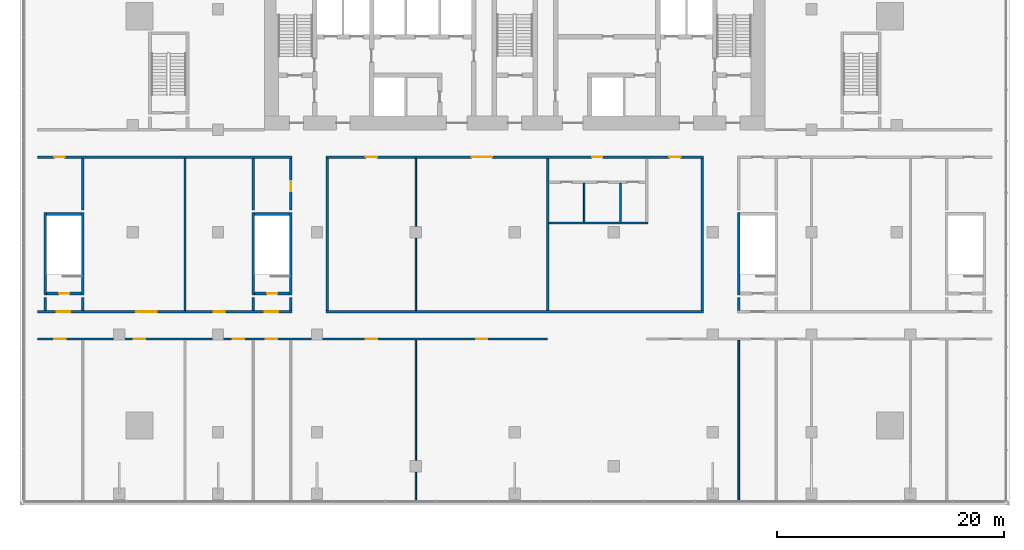
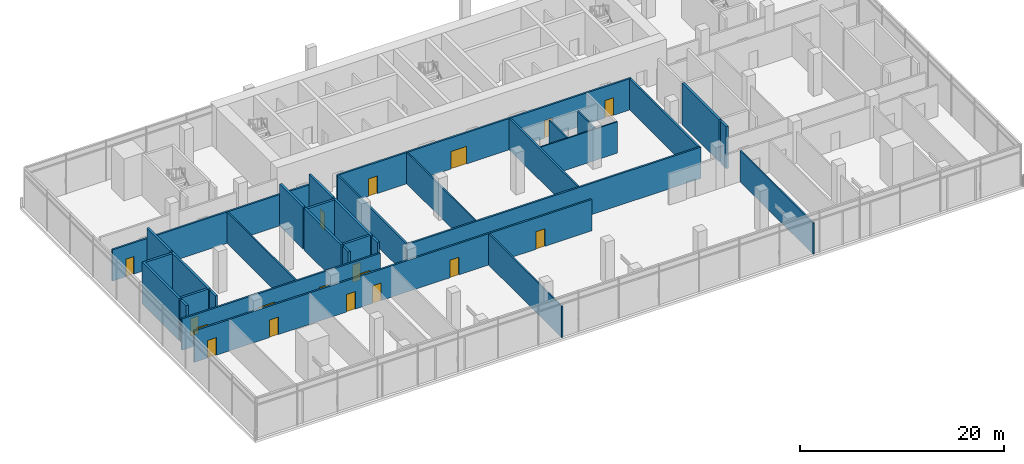
# One storey, part 11 of 17: 32 walls, 18 doors, 18 openings.
"""IFC4 building model written with IfcOpenShell, lengths in metres."""

from ifc_helpers import new_model, si_unit, direction, frame, frame_2d, origin, place, context, subcontext, project, spatial, rectangle, extrude, material, layer, layer_set, type_object, element, fill, save


model = new_model("IFC4")

# Units and contexts
model_context = context("Model", 3, precision=1e-05, world=origin(), true_north=direction((0.0, 1.0)))
body_context = subcontext(model_context, "Body", "Model", "MODEL_VIEW")
ifc_project = project(units=[si_unit("LENGTHUNIT", "METRE"), si_unit("AREAUNIT", "SQUARE_METRE"), si_unit("VOLUMEUNIT", "CUBIC_METRE"), si_unit("PLANEANGLEUNIT", "RADIAN"), si_unit("MASSUNIT", "GRAM", prefix="KILO")], contexts=[model_context])

# Site, building, storey
site_placement = place(None, origin())
site = spatial("IfcSite", under=ifc_project, at=site_placement, CompositionType="ELEMENT")
building_placement = place(site_placement, origin())
building = spatial("IfcBuilding", under=site, at=building_placement, Name="Bicima Exchange Tower", CompositionType="ELEMENT")
storey_placement = place(building_placement, frame((0.0, 0.0, 30.0)))
storey = spatial("IfcBuildingStorey", under=building, at=storey_placement, Name="L05", CompositionType="ELEMENT", Elevation=30.0)

# Wall, openings, doors
ifc_material_1 = material(Name="Gypsum board partition")
ifc_layer_1 = layer(ifc_material_1, 0.199951171875)
ifc_layer_set_1 = layer_set([ifc_layer_1], Name="Gypsum board partition")
wall_type_1 = type_object("IfcWallType", Name="Fire-rated gypsum partition 200 EI60", PredefinedType="PARTITIONING", material=ifc_layer_set_1)
wall_1_placement = place(storey_placement, frame((-42.0, -31.39990234375, 0.0), z_axis=(0.0, 0.0, 1.0), x_axis=(1.0, 0.0, 0.0)))
wall_1 = element("IfcWall", 1, at=wall_1_placement, inside=storey, type_object=wall_type_1, Name="partition wall 1", PredefinedType="PARTITIONING", context=body_context, shape_type="SweptSolid", body=[
    extrude(rectangle(XDim=44.89990234375, YDim=0.199951171875, at=frame_2d((22.449951171875, 0.0))), origin(), (0.0, 0.0, 1.0), 3.740234375),
])
opening_1_placement = place(wall_1_placement, frame((1.5, 0.0, 0.0)))
opening_1 = element("IfcOpeningElement", 2, at=opening_1_placement, cuts=wall_1, Name="Opening L05-016", PredefinedType="OPENING", context=body_context, shape_type="SweptSolid", body=[
    extrude(rectangle(XDim=1.0, YDim=2.10009765625, at=frame_2d((0.5, 1.050048828125))), frame((0.0, 0.11181640625, 0.0), z_axis=(0.0, -1.0, 0.0), x_axis=(1.0, 0.0, 0.0)), (0.0, 0.0, 1.0), 0.223876953125),
])
opening_2_placement = place(wall_1_placement, frame((8.5, 0.0, 0.0)))
opening_2 = element("IfcOpeningElement", 3, at=opening_2_placement, cuts=wall_1, Name="Opening L05-018", PredefinedType="OPENING", context=body_context, shape_type="SweptSolid", body=[
    extrude(rectangle(XDim=1.0, YDim=2.10009765625, at=frame_2d((0.5, 1.050048828125))), frame((0.0, 0.11181640625, 0.0), z_axis=(0.0, -1.0, 0.0), x_axis=(1.0, 0.0, 0.0)), (0.0, 0.0, 1.0), 0.223876953125),
])
opening_3_placement = place(wall_1_placement, frame((17.199951171875, 0.0, 0.0)))
opening_3 = element("IfcOpeningElement", 4, at=opening_3_placement, cuts=wall_1, Name="Opening L05-020", PredefinedType="OPENING", context=body_context, shape_type="SweptSolid", body=[
    extrude(rectangle(XDim=1.0, YDim=2.10009765625, at=frame_2d((0.5, 1.050048828125))), frame((0.0, 0.11181640625, 0.0), z_axis=(0.0, -1.0, 0.0), x_axis=(1.0, 0.0, 0.0)), (0.0, 0.0, 1.0), 0.223876953125),
])
opening_4_placement = place(wall_1_placement, frame((20.10009765625, 0.0, 0.0)))
opening_4 = element("IfcOpeningElement", 5, at=opening_4_placement, cuts=wall_1, Name="Opening L05-022", PredefinedType="OPENING", context=body_context, shape_type="SweptSolid", body=[
    extrude(rectangle(XDim=1.0, YDim=2.10009765625, at=frame_2d((0.5, 1.050048828125))), frame((0.0, 0.11181640625, 0.0), z_axis=(0.0, -1.0, 0.0), x_axis=(1.0, 0.0, 0.0)), (0.0, 0.0, 1.0), 0.223876953125),
])
opening_5_placement = place(wall_1_placement, frame((28.89990234375, 0.0, 0.0)))
opening_5 = element("IfcOpeningElement", 6, at=opening_5_placement, cuts=wall_1, Name="Opening L05-024", PredefinedType="OPENING", context=body_context, shape_type="SweptSolid", body=[
    extrude(rectangle(XDim=1.0, YDim=2.10009765625, at=frame_2d((0.5, 1.050048828125))), frame((0.0, 0.11181640625, 0.0), z_axis=(0.0, -1.0, 0.0), x_axis=(1.0, 0.0, 0.0)), (0.0, 0.0, 1.0), 0.223876953125),
])
opening_6_placement = place(wall_1_placement, frame((38.60009765625, 0.0, 0.0)))
opening_6 = element("IfcOpeningElement", 7, at=opening_6_placement, cuts=wall_1, Name="Opening L05-026", PredefinedType="OPENING", context=body_context, shape_type="SweptSolid", body=[
    extrude(rectangle(XDim=1.0, YDim=2.10009765625, at=frame_2d((0.5, 1.050048828125))), frame((0.0, 0.11181640625, 0.0), z_axis=(0.0, -1.0, 0.0), x_axis=(1.0, 0.0, 0.0)), (0.0, 0.0, 1.0), 0.223876953125),
])
ifc_material_2 = material(Name="Steel fire door leaf", Category="steel")
door_type_1 = type_object("IfcDoorType", Name="Door 1000 swing FD30S", OperationType="SINGLE_SWING_LEFT", PredefinedType="DOOR", material=ifc_material_2)
door_1_placement = place(opening_1_placement, frame((1.0, 0.0, 0.0), z_axis=(0.0, 0.0, 1.0), x_axis=(-1.0, 0.0, 0.0)))
door_1 = element("IfcDoor", 8, at=door_1_placement, inside=storey, type_object=door_type_1, Name="Door", OperationType="SINGLE_SWING_LEFT", OverallHeight=2.10009765625, OverallWidth=1.0, PredefinedType="DOOR", context=body_context, shape_type="SweptSolid", body=[
    extrude(rectangle(XDim=1.0, YDim=2.10009765625, at=frame_2d((0.5, 1.050048828125))), frame((0.0, 0.02490234375, 0.0), z_axis=(0.0, -1.0, 0.0), x_axis=(1.0, 0.0, 0.0)), (0.0, 0.0, 1.0), 0.050048828125),
])
fill(opening_1, door_1)
door_2_placement = place(opening_2_placement, frame((1.0, 0.0, 0.0), z_axis=(0.0, 0.0, 1.0), x_axis=(-1.0, 0.0, 0.0)))
door_2 = element("IfcDoor", 9, at=door_2_placement, inside=storey, type_object=door_type_1, Name="Door", OperationType="SINGLE_SWING_RIGHT", OverallHeight=2.10009765625, OverallWidth=1.0, PredefinedType="DOOR", context=body_context, shape_type="SweptSolid", body=[
    extrude(rectangle(XDim=1.0, YDim=2.10009765625, at=frame_2d((0.5, 1.050048828125))), frame((0.0, 0.02490234375, 0.0), z_axis=(0.0, -1.0, 0.0), x_axis=(1.0, 0.0, 0.0)), (0.0, 0.0, 1.0), 0.050048828125),
])
fill(opening_2, door_2)
door_3_placement = place(opening_3_placement, frame((1.0, 0.0, 0.0), z_axis=(0.0, 0.0, 1.0), x_axis=(-1.0, 0.0, 0.0)))
door_3 = element("IfcDoor", 10, at=door_3_placement, inside=storey, type_object=door_type_1, Name="Door", OperationType="SINGLE_SWING_RIGHT", OverallHeight=2.10009765625, OverallWidth=1.0, PredefinedType="DOOR", context=body_context, shape_type="SweptSolid", body=[
    extrude(rectangle(XDim=1.0, YDim=2.10009765625, at=frame_2d((0.5, 1.050048828125))), frame((0.0, 0.02490234375, 0.0), z_axis=(0.0, -1.0, 0.0), x_axis=(1.0, 0.0, 0.0)), (0.0, 0.0, 1.0), 0.050048828125),
])
fill(opening_3, door_3)
door_4_placement = place(opening_4_placement, frame((1.0, 0.0, 0.0), z_axis=(0.0, 0.0, 1.0), x_axis=(-1.0, 0.0, 0.0)))
door_4 = element("IfcDoor", 11, at=door_4_placement, inside=storey, type_object=door_type_1, Name="Door", OperationType="SINGLE_SWING_LEFT", OverallHeight=2.10009765625, OverallWidth=1.0, PredefinedType="DOOR", context=body_context, shape_type="SweptSolid", body=[
    extrude(rectangle(XDim=1.0, YDim=2.10009765625, at=frame_2d((0.5, 1.050048828125))), frame((0.0, 0.02490234375, 0.0), z_axis=(0.0, -1.0, 0.0), x_axis=(1.0, 0.0, 0.0)), (0.0, 0.0, 1.0), 0.050048828125),
])
fill(opening_4, door_4)
door_5_placement = place(opening_5_placement, frame((1.0, 0.0, 0.0), z_axis=(0.0, 0.0, 1.0), x_axis=(-1.0, 0.0, 0.0)))
door_5 = element("IfcDoor", 12, at=door_5_placement, inside=storey, type_object=door_type_1, Name="Door", OperationType="SINGLE_SWING_RIGHT", OverallHeight=2.10009765625, OverallWidth=1.0, PredefinedType="DOOR", context=body_context, shape_type="SweptSolid", body=[
    extrude(rectangle(XDim=1.0, YDim=2.10009765625, at=frame_2d((0.5, 1.050048828125))), frame((0.0, 0.02490234375, 0.0), z_axis=(0.0, -1.0, 0.0), x_axis=(1.0, 0.0, 0.0)), (0.0, 0.0, 1.0), 0.050048828125),
])
fill(opening_5, door_5)
door_6_placement = place(opening_6_placement, frame((1.0, 0.0, 0.0), z_axis=(0.0, 0.0, 1.0), x_axis=(-1.0, 0.0, 0.0)))
door_6 = element("IfcDoor", 13, at=door_6_placement, inside=storey, type_object=door_type_1, Name="Door", OperationType="SINGLE_SWING_RIGHT", OverallHeight=2.10009765625, OverallWidth=1.0, PredefinedType="DOOR", context=body_context, shape_type="SweptSolid", body=[
    extrude(rectangle(XDim=1.0, YDim=2.10009765625, at=frame_2d((0.5, 1.050048828125))), frame((0.0, 0.02490234375, 0.0), z_axis=(0.0, -1.0, 0.0), x_axis=(1.0, 0.0, 0.0)), (0.0, 0.0, 1.0), 0.050048828125),
])
fill(opening_6, door_6)

wall_2_placement = place(storey_placement, frame((-42.0, -29.0, 0.0), z_axis=(0.0, 0.0, 1.0), x_axis=(1.0, 0.0, 0.0)))
wall_2 = element("IfcWall", 14, at=wall_2_placement, inside=storey, type_object=wall_type_1, Name="partition wall 3", PredefinedType="PARTITIONING", context=body_context, shape_type="SweptSolid", body=[
    extrude(rectangle(XDim=22.425048828125, YDim=0.199951171875, at=frame_2d((11.21240234375, 0.0))), origin(), (0.0, 0.0, 1.0), 3.740234375),
])
opening_7_placement = place(wall_2_placement, frame((1.699951171875, 0.0, 0.0)))
opening_7 = element("IfcOpeningElement", 15, at=opening_7_placement, cuts=wall_2, Name="Opening L05-001", PredefinedType="OPENING", context=body_context, shape_type="SweptSolid", body=[
    extrude(rectangle(XDim=1.199951171875, YDim=2.10009765625, at=frame_2d((0.60009765625, 1.050048828125))), frame((0.0, 0.11181640625, 0.0), z_axis=(0.0, -1.0, 0.0), x_axis=(1.0, 0.0, 0.0)), (0.0, 0.0, 1.0), 0.223876953125),
])
opening_8_placement = place(wall_2_placement, frame((20.0, 0.0, 0.0)))
opening_8 = element("IfcOpeningElement", 16, at=opening_8_placement, cuts=wall_2, Name="Opening L05-003", PredefinedType="OPENING", context=body_context, shape_type="SweptSolid", body=[
    extrude(rectangle(XDim=1.199951171875, YDim=2.10009765625, at=frame_2d((0.60009765625, 1.050048828125))), frame((0.0, 0.11181640625, 0.0), z_axis=(0.0, -1.0, 0.0), x_axis=(1.0, 0.0, 0.0)), (0.0, 0.0, 1.0), 0.223876953125),
])
opening_9_placement = place(wall_2_placement, frame((8.699951171875, 0.0, 0.0)))
opening_9 = element("IfcOpeningElement", 17, at=opening_9_placement, cuts=wall_2, Name="Opening L05-017", PredefinedType="OPENING", context=body_context, shape_type="SweptSolid", body=[
    extrude(rectangle(XDim=1.800048828125, YDim=2.10009765625, at=frame_2d((0.89990234375, 1.050048828125))), frame((0.0, 0.11181640625, 0.0), z_axis=(0.0, -1.0, 0.0), x_axis=(1.0, 0.0, 0.0)), (0.0, 0.0, 1.0), 0.223876953125),
])
opening_10_placement = place(wall_2_placement, frame((15.5, 0.0, 0.0)))
opening_10 = element("IfcOpeningElement", 18, at=opening_10_placement, cuts=wall_2, Name="Opening L05-019", PredefinedType="OPENING", context=body_context, shape_type="SweptSolid", body=[
    extrude(rectangle(XDim=1.0, YDim=2.10009765625, at=frame_2d((0.5, 1.050048828125))), frame((0.0, 0.11181640625, 0.0), z_axis=(0.0, -1.0, 0.0), x_axis=(1.0, 0.0, 0.0)), (0.0, 0.0, 1.0), 0.223876953125),
])
door_7_placement = place(opening_10_placement, origin())
door_7 = element("IfcDoor", 19, at=door_7_placement, inside=storey, type_object=door_type_1, Name="Door", OperationType="SINGLE_SWING_LEFT", OverallHeight=2.10009765625, OverallWidth=1.0, PredefinedType="DOOR", context=body_context, shape_type="SweptSolid", body=[
    extrude(rectangle(XDim=1.0, YDim=2.10009765625, at=frame_2d((0.5, 1.050048828125))), frame((0.0, 0.02490234375, 0.0), z_axis=(0.0, -1.0, 0.0), x_axis=(1.0, 0.0, 0.0)), (0.0, 0.0, 1.0), 0.050048828125),
])
fill(opening_10, door_7)
door_type_2 = type_object("IfcDoorType", Name="Door 1200 swing FD30S", OperationType="SINGLE_SWING_LEFT", PredefinedType="DOOR", material=ifc_material_2)
door_8_placement = place(opening_7_placement, origin())
door_8 = element("IfcDoor", 20, at=door_8_placement, inside=storey, type_object=door_type_2, Name="Door", OperationType="SINGLE_SWING_LEFT", OverallHeight=2.10009765625, OverallWidth=1.199951171875, PredefinedType="DOOR", context=body_context, shape_type="SweptSolid", body=[
    extrude(rectangle(XDim=1.199951171875, YDim=2.10009765625, at=frame_2d((0.60009765625, 1.050048828125))), frame((0.0, 0.02490234375, 0.0), z_axis=(0.0, -1.0, 0.0), x_axis=(1.0, 0.0, 0.0)), (0.0, 0.0, 1.0), 0.050048828125),
])
fill(opening_7, door_8)
door_9_placement = place(opening_8_placement, origin())
door_9 = element("IfcDoor", 21, at=door_9_placement, inside=storey, type_object=door_type_2, Name="Door", OperationType="SINGLE_SWING_RIGHT", OverallHeight=2.10009765625, OverallWidth=1.199951171875, PredefinedType="DOOR", context=body_context, shape_type="SweptSolid", body=[
    extrude(rectangle(XDim=1.199951171875, YDim=2.10009765625, at=frame_2d((0.60009765625, 1.050048828125))), frame((0.0, 0.02490234375, 0.0), z_axis=(0.0, -1.0, 0.0), x_axis=(1.0, 0.0, 0.0)), (0.0, 0.0, 1.0), 0.050048828125),
])
fill(opening_8, door_9)
door_type_3 = type_object("IfcDoorType", Name="Door 1800 double swing FD30S", OperationType="DOUBLE_DOOR_SINGLE_SWING", PredefinedType="DOOR", material=ifc_material_2)
door_10_placement = place(opening_9_placement, origin())
door_10 = element("IfcDoor", 22, at=door_10_placement, inside=storey, type_object=door_type_3, Name="Door", OperationType="SINGLE_SWING_LEFT", OverallHeight=2.10009765625, OverallWidth=1.800048828125, PredefinedType="DOOR", context=body_context, shape_type="SweptSolid", body=[
    extrude(rectangle(XDim=1.800048828125, YDim=2.10009765625, at=frame_2d((0.89990234375, 1.050048828125))), frame((0.0, 0.02490234375, 0.0), z_axis=(0.0, -1.0, 0.0), x_axis=(1.0, 0.0, 0.0)), (0.0, 0.0, 1.0), 0.050048828125),
])
fill(opening_9, door_10)

# Wall
wall_3_placement = place(storey_placement, frame((-16.60009765625, -29.0, 0.0), z_axis=(0.0, 0.0, 1.0), x_axis=(1.0, 0.0, 0.0)))
element("IfcWall", 23, at=wall_3_placement, inside=storey, type_object=wall_type_1, Name="partition wall 4", PredefinedType="PARTITIONING", context=body_context, shape_type="SweptSolid", body=[
    extrude(rectangle(XDim=33.2001953125, YDim=0.199951171875, at=frame_2d((16.60009765625, 0.0))), origin(), (0.0, 0.0, 1.0), 3.740234375),
])

# Wall, opening, door
wall_4_placement = place(storey_placement, frame((-42.0, -15.39990234375, 0.0), z_axis=(0.0, 0.0, 1.0), x_axis=(1.0, 0.0, 0.0)))
wall_4 = element("IfcWall", 24, at=wall_4_placement, inside=storey, type_object=wall_type_1, Name="partition wall 16", PredefinedType="PARTITIONING", context=body_context, shape_type="SweptSolid", body=[
    extrude(rectangle(XDim=22.425048828125, YDim=0.199951171875, at=frame_2d((11.21240234375, 0.0))), origin(), (0.0, 0.0, 1.0), 3.740234375),
])
opening_11_placement = place(wall_4_placement, frame((1.5, 0.0, 0.0)))
opening_11 = element("IfcOpeningElement", 25, at=opening_11_placement, cuts=wall_4, Name="Opening L05-015", PredefinedType="OPENING", context=body_context, shape_type="SweptSolid", body=[
    extrude(rectangle(XDim=0.89990234375, YDim=2.10009765625, at=frame_2d((0.449951171875, 1.050048828125))), frame((0.0, 0.11181640625, 0.0), z_axis=(0.0, -1.0, 0.0), x_axis=(1.0, 0.0, 0.0)), (0.0, 0.0, 1.0), 0.223876953125),
])
door_type_4 = type_object("IfcDoorType", Name="Door 900 swing FD30S", OperationType="SINGLE_SWING_LEFT", PredefinedType="DOOR", material=ifc_material_2)
door_11_placement = place(opening_11_placement, frame((0.89990234375, 0.0, 0.0), z_axis=(0.0, 0.0, 1.0), x_axis=(-1.0, 0.0, 0.0)))
door_11 = element("IfcDoor", 26, at=door_11_placement, inside=storey, type_object=door_type_4, Name="Door", OperationType="SINGLE_SWING_RIGHT", OverallHeight=2.10009765625, OverallWidth=0.89990234375, PredefinedType="DOOR", context=body_context, shape_type="SweptSolid", body=[
    extrude(rectangle(XDim=0.89990234375, YDim=2.10009765625, at=frame_2d((0.449951171875, 1.050048828125))), frame((0.0, 0.02490234375, 0.0), z_axis=(0.0, -1.0, 0.0), x_axis=(1.0, 0.0, 0.0)), (0.0, 0.0, 1.0), 0.050048828125),
])
fill(opening_11, door_11)

# Wall, openings, doors
wall_5_placement = place(storey_placement, frame((-16.60009765625, -15.39990234375, 0.0), z_axis=(0.0, 0.0, 1.0), x_axis=(1.0, 0.0, 0.0)))
wall_5 = element("IfcWall", 27, at=wall_5_placement, inside=storey, type_object=wall_type_1, Name="partition wall 17", PredefinedType="PARTITIONING", context=body_context, shape_type="SweptSolid", body=[
    extrude(rectangle(XDim=33.2001953125, YDim=0.199951171875, at=frame_2d((16.60009765625, 0.0))), origin(), (0.0, 0.0, 1.0), 3.740234375),
])
opening_12_placement = place(wall_5_placement, frame((3.5, 0.0, 0.0)))
opening_12 = element("IfcOpeningElement", 28, at=opening_12_placement, cuts=wall_5, Name="Opening L05-023", PredefinedType="OPENING", context=body_context, shape_type="SweptSolid", body=[
    extrude(rectangle(XDim=1.0, YDim=2.10009765625, at=frame_2d((0.5, 1.050048828125))), frame((0.0, 0.11181640625, 0.0), z_axis=(0.0, -1.0, 0.0), x_axis=(1.0, 0.0, 0.0)), (0.0, 0.0, 1.0), 0.223876953125),
])
opening_13_placement = place(wall_5_placement, frame((12.800048828125, 0.0, 0.0)))
opening_13 = element("IfcOpeningElement", 29, at=opening_13_placement, cuts=wall_5, Name="Opening L05-025", PredefinedType="OPENING", context=body_context, shape_type="SweptSolid", body=[
    extrude(rectangle(XDim=1.800048828125, YDim=2.10009765625, at=frame_2d((0.89990234375, 1.050048828125))), frame((0.0, 0.11181640625, 0.0), z_axis=(0.0, -1.0, 0.0), x_axis=(1.0, 0.0, 0.0)), (0.0, 0.0, 1.0), 0.223876953125),
])
opening_14_placement = place(wall_5_placement, frame((23.39990234375, 0.0, 0.0)))
opening_14 = element("IfcOpeningElement", 30, at=opening_14_placement, cuts=wall_5, Name="Opening L05-027", PredefinedType="OPENING", context=body_context, shape_type="SweptSolid", body=[
    extrude(rectangle(XDim=0.89990234375, YDim=2.10009765625, at=frame_2d((0.449951171875, 1.050048828125))), frame((0.0, 0.11181640625, 0.0), z_axis=(0.0, -1.0, 0.0), x_axis=(1.0, 0.0, 0.0)), (0.0, 0.0, 1.0), 0.223876953125),
])
opening_15_placement = place(wall_5_placement, frame((30.199951171875, 0.0, 0.0)))
opening_15 = element("IfcOpeningElement", 31, at=opening_15_placement, cuts=wall_5, Name="Opening L05-031", PredefinedType="OPENING", context=body_context, shape_type="SweptSolid", body=[
    extrude(rectangle(XDim=1.0, YDim=2.10009765625, at=frame_2d((0.5, 1.050048828125))), frame((0.0, 0.11181640625, 0.0), z_axis=(0.0, -1.0, 0.0), x_axis=(1.0, 0.0, 0.0)), (0.0, 0.0, 1.0), 0.223876953125),
])
door_12_placement = place(opening_12_placement, frame((1.0, 0.0, 0.0), z_axis=(0.0, 0.0, 1.0), x_axis=(-1.0, 0.0, 0.0)))
door_12 = element("IfcDoor", 32, at=door_12_placement, inside=storey, type_object=door_type_1, Name="Door", OperationType="SINGLE_SWING_RIGHT", OverallHeight=2.10009765625, OverallWidth=1.0, PredefinedType="DOOR", context=body_context, shape_type="SweptSolid", body=[
    extrude(rectangle(XDim=1.0, YDim=2.10009765625, at=frame_2d((0.5, 1.050048828125))), frame((0.0, 0.02490234375, 0.0), z_axis=(0.0, -1.0, 0.0), x_axis=(1.0, 0.0, 0.0)), (0.0, 0.0, 1.0), 0.050048828125),
])
fill(opening_12, door_12)
door_13_placement = place(opening_15_placement, frame((1.0, 0.0, 0.0), z_axis=(0.0, 0.0, 1.0), x_axis=(-1.0, 0.0, 0.0)))
door_13 = element("IfcDoor", 33, at=door_13_placement, inside=storey, type_object=door_type_1, Name="Door", OperationType="SINGLE_SWING_LEFT", OverallHeight=2.10009765625, OverallWidth=1.0, PredefinedType="DOOR", context=body_context, shape_type="SweptSolid", body=[
    extrude(rectangle(XDim=1.0, YDim=2.10009765625, at=frame_2d((0.5, 1.050048828125))), frame((0.0, 0.02490234375, 0.0), z_axis=(0.0, -1.0, 0.0), x_axis=(1.0, 0.0, 0.0)), (0.0, 0.0, 1.0), 0.050048828125),
])
fill(opening_15, door_13)
door_14_placement = place(opening_13_placement, origin())
door_14 = element("IfcDoor", 34, at=door_14_placement, inside=storey, type_object=door_type_3, Name="Door", OperationType="SINGLE_SWING_LEFT", OverallHeight=2.10009765625, OverallWidth=1.800048828125, PredefinedType="DOOR", context=body_context, shape_type="SweptSolid", body=[
    extrude(rectangle(XDim=1.800048828125, YDim=2.10009765625, at=frame_2d((0.89990234375, 1.050048828125))), frame((0.0, 0.02490234375, 0.0), z_axis=(0.0, -1.0, 0.0), x_axis=(1.0, 0.0, 0.0)), (0.0, 0.0, 1.0), 0.050048828125),
])
fill(opening_13, door_14)
door_15_placement = place(opening_14_placement, frame((0.89990234375, 0.0, 0.0), z_axis=(0.0, 0.0, 1.0), x_axis=(-1.0, 0.0, 0.0)))
door_15 = element("IfcDoor", 35, at=door_15_placement, inside=storey, type_object=door_type_4, Name="Door", OperationType="SINGLE_SWING_RIGHT", OverallHeight=2.10009765625, OverallWidth=0.89990234375, PredefinedType="DOOR", context=body_context, shape_type="SweptSolid", body=[
    extrude(rectangle(XDim=0.89990234375, YDim=2.10009765625, at=frame_2d((0.449951171875, 1.050048828125))), frame((0.0, 0.02490234375, 0.0), z_axis=(0.0, -1.0, 0.0), x_axis=(1.0, 0.0, 0.0)), (0.0, 0.0, 1.0), 0.050048828125),
])
fill(opening_14, door_15)

# Walls
for number, where, z_axis, x_axis, name in (
    (36, (-16.5, -28.89990234375, 0.0), (0.0, 0.0, 1.0), (0.0, 1.0, 0.0), "partition wall 38"),
    (37, (2.89990234375, -28.89990234375, 0.0), (0.0, 0.0, 1.0), (0.0, 1.0, 0.0), "partition wall 41"),
    (38, (16.5, -28.89990234375, 0.0), (0.0, 0.0, 1.0), (0.0, 1.0, 0.0), "partition wall 45"),
):
    element("IfcWall", number, at=place(storey_placement, frame(where, z_axis=z_axis, x_axis=x_axis)), inside=storey, type_object=wall_type_1, Name=name, PredefinedType="PARTITIONING", context=body_context, shape_type="SweptSolid", body=[
        extrude(rectangle(XDim=13.39990234375, YDim=0.199951171875, at=frame_2d((6.699951171875, 0.0))), origin(), (0.0, 0.0, 1.0), 3.740234375),
    ])
ifc_layer_2 = layer(ifc_material_1, 0.14990234375)
ifc_layer_set_2 = layer_set([ifc_layer_2], Name="Gypsum board partition")
wall_type_2 = type_object("IfcWallType", Name="Gypsum partition 150", PredefinedType="PARTITIONING", material=ifc_layer_set_2)
wall_6_placement = place(storey_placement, frame((3.0, -21.199951171875, 0.0), z_axis=(0.0, 0.0, 1.0), x_axis=(1.0, 0.0, 0.0)))
element("IfcWall", 39, at=wall_6_placement, inside=storey, type_object=wall_type_2, Name="partition wall 10", PredefinedType="PARTITIONING", context=body_context, shape_type="SweptSolid", body=[
    extrude(rectangle(XDim=8.699951171875, YDim=0.14990234375, at=frame_2d((4.35009765625, 0.0))), origin(), (0.0, 0.0, 1.0), 3.740234375),
])
wall_7_placement = place(storey_placement, frame((-29.0, -28.89990234375, 0.0), z_axis=(0.0, 0.0, 1.0), x_axis=(0.0, 1.0, 0.0)))
element("IfcWall", 40, at=wall_7_placement, inside=storey, type_object=wall_type_2, Name="partition wall 32", PredefinedType="PARTITIONING", context=body_context, shape_type="SweptSolid", body=[
    extrude(rectangle(XDim=13.39990234375, YDim=0.14990234375, at=frame_2d((6.699951171875, 0.0))), origin(), (0.0, 0.0, 1.0), 3.740234375),
])
wall_8_placement = place(storey_placement, frame((-8.699951171875, -45.7900390625, 0.0), z_axis=(0.0, 0.0, 1.0), x_axis=(0.0, 1.0, 0.0)))
element("IfcWall", 41, at=wall_8_placement, inside=storey, type_object=wall_type_2, Name="partition wall 39", PredefinedType="PARTITIONING", context=body_context, shape_type="SweptSolid", body=[
    extrude(rectangle(XDim=14.2900390625, YDim=0.14990234375, at=frame_2d((7.14501953125, 0.0))), origin(), (0.0, 0.0, 1.0), 3.740234375),
])
wall_9_placement = place(storey_placement, frame((-8.699951171875, -28.89990234375, 0.0), z_axis=(0.0, 0.0, 1.0), x_axis=(0.0, 1.0, 0.0)))
element("IfcWall", 42, at=wall_9_placement, inside=storey, type_object=wall_type_2, Name="partition wall 40", PredefinedType="PARTITIONING", context=body_context, shape_type="SweptSolid", body=[
    extrude(rectangle(XDim=13.39990234375, YDim=0.14990234375, at=frame_2d((6.699951171875, 0.0))), origin(), (0.0, 0.0, 1.0), 3.740234375),
])
for number, where, z_axis, x_axis, name in (
    (43, (6.10009765625, -21.125, 0.0), (0.0, 0.0, 1.0), (0.0, 1.0, 0.0), "partition wall 42"),
    (44, (9.300048828125, -21.125, 0.0), (0.0, 0.0, 1.0), (0.0, 1.0, 0.0), "partition wall 43"),
):
    element("IfcWall", number, at=place(storey_placement, frame(where, z_axis=z_axis, x_axis=x_axis)), inside=storey, type_object=wall_type_2, Name=name, PredefinedType="PARTITIONING", context=body_context, shape_type="SweptSolid", body=[
        extrude(rectangle(XDim=3.425048828125, YDim=0.14990234375, at=frame_2d((1.71240234375, 0.0))), origin(), (0.0, 0.0, 1.0), 3.740234375),
    ])
wall_10_placement = place(storey_placement, frame((19.699951171875, -45.7900390625, 0.0), z_axis=(0.0, 0.0, 1.0), x_axis=(0.0, 1.0, 0.0)))
element("IfcWall", 45, at=wall_10_placement, inside=storey, type_object=wall_type_2, Name="partition wall 46", PredefinedType="PARTITIONING", context=body_context, shape_type="SweptSolid", body=[
    extrude(rectangle(XDim=14.2900390625, YDim=0.14990234375, at=frame_2d((7.14501953125, 0.0))), origin(), (0.0, 0.0, 1.0), 3.740234375),
])
ifc_material_3 = material(Name="Concrete C50/60", Category="concrete")
ifc_layer_3 = layer(ifc_material_3, 0.25)
ifc_layer_set_3 = layer_set([ifc_layer_3], Name="Concrete C50/60")
wall_type_3 = type_object("IfcWallType", Name="RC core wall 250 C50/60", PredefinedType="SHEAR", material=ifc_layer_set_3)
for number, where, z_axis, x_axis, name in (
    (46, (-41.300048828125, -28.89990234375, 0.0), (0.0, 0.0, 1.0), (0.0, 1.0, 0.0), "stair wall 27"),
    (47, (-38.0, -28.89990234375, 0.0), (0.0, 0.0, 1.0), (0.0, 1.0, 0.0), "stair wall 29"),
):
    element("IfcWall", number, at=place(storey_placement, frame(where, z_axis=z_axis, x_axis=x_axis)), inside=storey, type_object=wall_type_3, Name=name, PredefinedType="SHEAR", context=body_context, shape_type="SweptSolid", body=[
        extrude(rectangle(XDim=1.14990234375, YDim=0.25, at=frame_2d((0.574951171875, 0.0))), origin(), (0.0, 0.0, 1.0), 5.0),
    ])
wall_11_placement = place(storey_placement, frame((-38.0, -20.050048828125, 0.0), z_axis=(0.0, 0.0, 1.0), x_axis=(0.0, 1.0, 0.0)))
element("IfcWall", 48, at=wall_11_placement, inside=storey, type_object=wall_type_3, Name="stair wall 29", PredefinedType="SHEAR", context=body_context, shape_type="SweptSolid", body=[
    extrude(rectangle(XDim=4.550048828125, YDim=0.25, at=frame_2d((2.27490234375, 0.0))), origin(), (0.0, 0.0, 1.0), 5.0),
])
wall_12_placement = place(storey_placement, frame((-23.0, -28.89990234375, 0.0), z_axis=(0.0, 0.0, 1.0), x_axis=(0.0, 1.0, 0.0)))
element("IfcWall", 49, at=wall_12_placement, inside=storey, type_object=wall_type_3, Name="stair wall 35", PredefinedType="SHEAR", context=body_context, shape_type="SweptSolid", body=[
    extrude(rectangle(XDim=1.14990234375, YDim=0.25, at=frame_2d((0.574951171875, 0.0))), origin(), (0.0, 0.0, 1.0), 5.0),
])
wall_13_placement = place(storey_placement, frame((-23.0, -20.050048828125, 0.0), z_axis=(0.0, 0.0, 1.0), x_axis=(0.0, 1.0, 0.0)))
element("IfcWall", 50, at=wall_13_placement, inside=storey, type_object=wall_type_3, Name="stair wall 35", PredefinedType="SHEAR", context=body_context, shape_type="SweptSolid", body=[
    extrude(rectangle(XDim=4.550048828125, YDim=0.25, at=frame_2d((2.27490234375, 0.0))), origin(), (0.0, 0.0, 1.0), 5.0),
])
wall_14_placement = place(storey_placement, frame((-19.699951171875, -28.89990234375, 0.0), z_axis=(0.0, 0.0, 1.0), x_axis=(0.0, 1.0, 0.0)))
element("IfcWall", 51, at=wall_14_placement, inside=storey, type_object=wall_type_3, Name="stair wall 37", PredefinedType="SHEAR", context=body_context, shape_type="SweptSolid", body=[
    extrude(rectangle(XDim=1.14990234375, YDim=0.25, at=frame_2d((0.574951171875, 0.0))), origin(), (0.0, 0.0, 1.0), 5.0),
])

# Wall, opening, door
wall_15_placement = place(storey_placement, frame((-19.699951171875, -20.050048828125, 0.0), z_axis=(0.0, 0.0, 1.0), x_axis=(0.0, 1.0, 0.0)))
wall_15 = element("IfcWall", 52, at=wall_15_placement, inside=storey, type_object=wall_type_3, Name="stair wall 37", PredefinedType="SHEAR", context=body_context, shape_type="SweptSolid", body=[
    extrude(rectangle(XDim=4.550048828125, YDim=0.25, at=frame_2d((2.27490234375, 0.0))), origin(), (0.0, 0.0, 1.0), 5.0),
])
opening_16_placement = place(wall_15_placement, frame((1.64990234375, 0.0, 0.0)))
opening_16 = element("IfcOpeningElement", 53, at=opening_16_placement, cuts=wall_15, Name="Opening L05-021", PredefinedType="OPENING", context=body_context, shape_type="SweptSolid", body=[
    extrude(rectangle(XDim=0.89990234375, YDim=2.10009765625, at=frame_2d((0.449951171875, 1.050048828125))), frame((0.0, 0.136962890625, 0.0), z_axis=(0.0, -1.0, 0.0), x_axis=(1.0, 0.0, 0.0)), (0.0, 0.0, 1.0), 0.27392578125),
])
door_type_5 = type_object("IfcDoorType", Name="Door 900 swing FD60S", OperationType="SINGLE_SWING_LEFT", PredefinedType="DOOR", material=ifc_material_2)
door_16_placement = place(opening_16_placement, origin())
door_16 = element("IfcDoor", 54, at=door_16_placement, inside=storey, type_object=door_type_5, Name="Door", OperationType="SINGLE_SWING_RIGHT", OverallHeight=2.10009765625, OverallWidth=0.89990234375, PredefinedType="DOOR", context=body_context, shape_type="SweptSolid", body=[
    extrude(rectangle(XDim=0.89990234375, YDim=2.10009765625, at=frame_2d((0.449951171875, 1.050048828125))), frame((0.0, 0.02490234375, 0.0), z_axis=(0.0, -1.0, 0.0), x_axis=(1.0, 0.0, 0.0)), (0.0, 0.0, 1.0), 0.050048828125),
])
fill(opening_16, door_16)

# Walls
wall_16_placement = place(storey_placement, frame((19.699951171875, -28.89990234375, 0.0), z_axis=(0.0, 0.0, 1.0), x_axis=(0.0, 1.0, 0.0)))
element("IfcWall", 55, at=wall_16_placement, inside=storey, type_object=wall_type_3, Name="stair wall 47", PredefinedType="SHEAR", context=body_context, shape_type="SweptSolid", body=[
    extrude(rectangle(XDim=1.14990234375, YDim=0.25, at=frame_2d((0.574951171875, 0.0))), origin(), (0.0, 0.0, 1.0), 5.0),
])
ifc_layer_4 = layer(ifc_material_3, 0.25)
ifc_layer_set_4 = layer_set([ifc_layer_4], Name="Concrete C50/60")
wall_type_4 = type_object("IfcWallType", Name="RC stair enclosure wall 250 C50/60", PredefinedType="SHEAR", material=ifc_layer_set_4)
for number, where, z_axis, x_axis, name in (
    (56, (-41.300048828125, -27.52490234375, 0.0), (0.0, 0.0, 1.0), (0.0, 1.0, 0.0), "Podium west stair wall W"),
    (57, (-38.0, -27.52490234375, 0.0), (0.0, 0.0, 1.0), (0.0, 1.0, 0.0), "Podium west stair wall E"),
):
    element("IfcWall", number, at=place(storey_placement, frame(where, z_axis=z_axis, x_axis=x_axis)), inside=storey, type_object=wall_type_4, Name=name, PredefinedType="SHEAR", context=body_context, shape_type="SweptSolid", body=[
        extrude(rectangle(XDim=7.25, YDim=0.25, at=frame_2d((3.625, 0.0))), origin(), (0.0, 0.0, 1.0), 5.0),
    ])

# Wall, opening, door
wall_17_placement = place(storey_placement, frame((-41.175048828125, -27.39990234375, 0.0), z_axis=(0.0, 0.0, 1.0), x_axis=(1.0, 0.0, 0.0)))
wall_17 = element("IfcWall", 58, at=wall_17_placement, inside=storey, type_object=wall_type_4, Name="Podium west stair wall S", PredefinedType="SHEAR", context=body_context, shape_type="SweptSolid", body=[
    extrude(rectangle(XDim=3.050048828125, YDim=0.25, at=frame_2d((1.52490234375, 0.0))), origin(), (0.0, 0.0, 1.0), 5.0),
])
opening_17_placement = place(wall_17_placement, frame((1.10009765625, 0.0, 0.0)))
opening_17 = element("IfcOpeningElement", 59, at=opening_17_placement, cuts=wall_17, Name="Opening L05-002", PredefinedType="OPENING", context=body_context, shape_type="SweptSolid", body=[
    extrude(rectangle(XDim=0.89990234375, YDim=2.10009765625, at=frame_2d((0.449951171875, 1.050048828125))), frame((0.0, 0.136962890625, 0.0), z_axis=(0.0, -1.0, 0.0), x_axis=(1.0, 0.0, 0.0)), (0.0, 0.0, 1.0), 0.27392578125),
])
door_17_placement = place(opening_17_placement, origin())
door_17 = element("IfcDoor", 60, at=door_17_placement, inside=storey, type_object=door_type_5, Name="Door", OperationType="SINGLE_SWING_LEFT", OverallHeight=2.10009765625, OverallWidth=0.89990234375, PredefinedType="DOOR", context=body_context, shape_type="SweptSolid", body=[
    extrude(rectangle(XDim=0.89990234375, YDim=2.10009765625, at=frame_2d((0.449951171875, 1.050048828125))), frame((0.0, 0.02490234375, 0.0), z_axis=(0.0, -1.0, 0.0), x_axis=(1.0, 0.0, 0.0)), (0.0, 0.0, 1.0), 0.050048828125),
])
fill(opening_17, door_17)

# Walls
wall_18_placement = place(storey_placement, frame((-41.175048828125, -20.39990234375, 0.0), z_axis=(0.0, 0.0, 1.0), x_axis=(1.0, 0.0, 0.0)))
element("IfcWall", 61, at=wall_18_placement, inside=storey, type_object=wall_type_4, Name="Podium west stair wall N", PredefinedType="SHEAR", context=body_context, shape_type="SweptSolid", body=[
    extrude(rectangle(XDim=3.050048828125, YDim=0.25, at=frame_2d((1.52490234375, 0.0))), origin(), (0.0, 0.0, 1.0), 5.0),
])
for number, where, z_axis, x_axis, name in (
    (62, (-23.0, -27.52490234375, 0.0), (0.0, 0.0, 1.0), (0.0, 1.0, 0.0), "Podium inner west stair wall W"),
    (63, (-19.699951171875, -27.52490234375, 0.0), (0.0, 0.0, 1.0), (0.0, 1.0, 0.0), "Podium inner west stair wall E"),
):
    element("IfcWall", number, at=place(storey_placement, frame(where, z_axis=z_axis, x_axis=x_axis)), inside=storey, type_object=wall_type_4, Name=name, PredefinedType="SHEAR", context=body_context, shape_type="SweptSolid", body=[
        extrude(rectangle(XDim=7.25, YDim=0.25, at=frame_2d((3.625, 0.0))), origin(), (0.0, 0.0, 1.0), 5.0),
    ])

# Wall, opening, door
wall_19_placement = place(storey_placement, frame((-22.875, -27.39990234375, 0.0), z_axis=(0.0, 0.0, 1.0), x_axis=(1.0, 0.0, 0.0)))
wall_19 = element("IfcWall", 64, at=wall_19_placement, inside=storey, type_object=wall_type_4, Name="Podium inner west stair wall S", PredefinedType="SHEAR", context=body_context, shape_type="SweptSolid", body=[
    extrude(rectangle(XDim=3.050048828125, YDim=0.25, at=frame_2d((1.52490234375, 0.0))), origin(), (0.0, 0.0, 1.0), 5.0),
])
opening_18_placement = place(wall_19_placement, frame((1.10009765625, 0.0, 0.0)))
opening_18 = element("IfcOpeningElement", 65, at=opening_18_placement, cuts=wall_19, Name="Opening L05-004", PredefinedType="OPENING", context=body_context, shape_type="SweptSolid", body=[
    extrude(rectangle(XDim=0.89990234375, YDim=2.10009765625, at=frame_2d((0.449951171875, 1.050048828125))), frame((0.0, 0.136962890625, 0.0), z_axis=(0.0, -1.0, 0.0), x_axis=(1.0, 0.0, 0.0)), (0.0, 0.0, 1.0), 0.27392578125),
])
door_18_placement = place(opening_18_placement, origin())
door_18 = element("IfcDoor", 66, at=door_18_placement, inside=storey, type_object=door_type_5, Name="Door", OperationType="SINGLE_SWING_LEFT", OverallHeight=2.10009765625, OverallWidth=0.89990234375, PredefinedType="DOOR", context=body_context, shape_type="SweptSolid", body=[
    extrude(rectangle(XDim=0.89990234375, YDim=2.10009765625, at=frame_2d((0.449951171875, 1.050048828125))), frame((0.0, 0.02490234375, 0.0), z_axis=(0.0, -1.0, 0.0), x_axis=(1.0, 0.0, 0.0)), (0.0, 0.0, 1.0), 0.050048828125),
])
fill(opening_18, door_18)

# Walls
wall_20_placement = place(storey_placement, frame((-22.875, -20.39990234375, 0.0), z_axis=(0.0, 0.0, 1.0), x_axis=(1.0, 0.0, 0.0)))
element("IfcWall", 67, at=wall_20_placement, inside=storey, type_object=wall_type_4, Name="Podium inner west stair wall N", PredefinedType="SHEAR", context=body_context, shape_type="SweptSolid", body=[
    extrude(rectangle(XDim=3.050048828125, YDim=0.25, at=frame_2d((1.52490234375, 0.0))), origin(), (0.0, 0.0, 1.0), 5.0),
])
wall_21_placement = place(storey_placement, frame((19.699951171875, -27.52490234375, 0.0), z_axis=(0.0, 0.0, 1.0), x_axis=(0.0, 1.0, 0.0)))
element("IfcWall", 68, at=wall_21_placement, inside=storey, type_object=wall_type_4, Name="Podium inner east stair wall W", PredefinedType="SHEAR", context=body_context, shape_type="SweptSolid", body=[
    extrude(rectangle(XDim=7.25, YDim=0.25, at=frame_2d((3.625, 0.0))), origin(), (0.0, 0.0, 1.0), 5.0),
])

save(model, "model.ifc")
